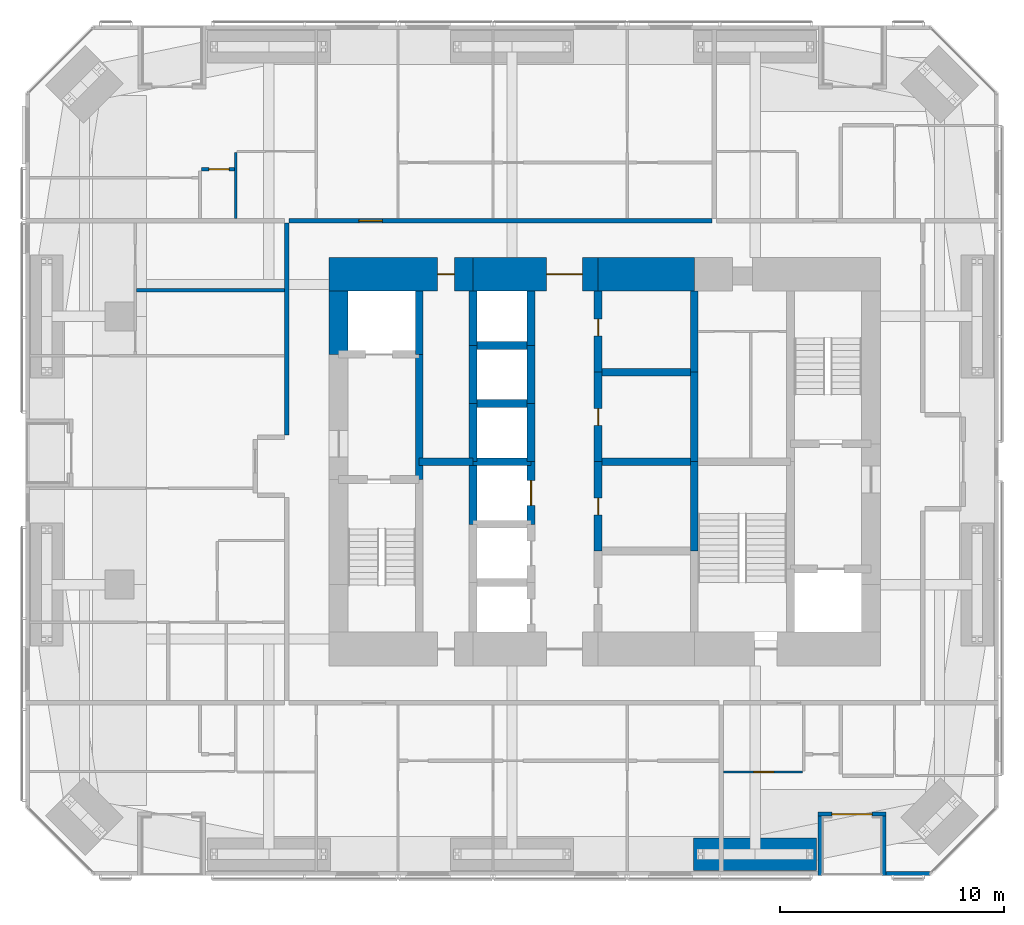
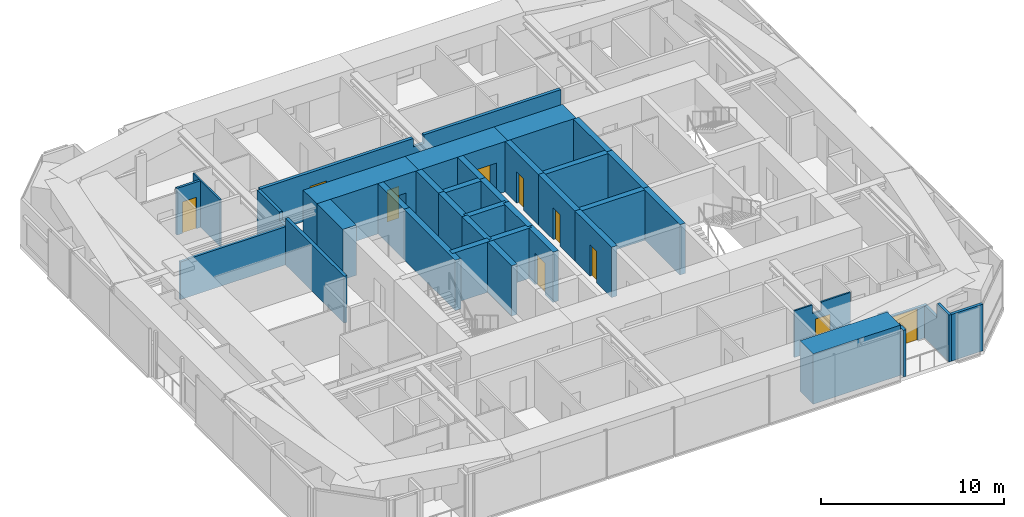
# One storey, part 19 of 23: 38 walls, 10 doors, 10 openings.
"""IFC4 building model written with IfcOpenShell, lengths in metres."""

from ifc_helpers import new_model, si_unit, direction, frame, frame_2d, origin, place, context, subcontext, project, spatial, polyline, rectangle, outline, extrude, material, layer, layer_set, constituent, constituent_set, type_object, element, fill, save


model = new_model("IFC4")

# Units and contexts
model_context = context("Model", 3, precision=1e-05, world=origin(), true_north=direction((0.0, 1.0)))
body_context = subcontext(model_context, "Body", "Model", "MODEL_VIEW")
ifc_project = project(units=[si_unit("LENGTHUNIT", "METRE"), si_unit("AREAUNIT", "SQUARE_METRE"), si_unit("VOLUMEUNIT", "CUBIC_METRE"), si_unit("PLANEANGLEUNIT", "RADIAN"), si_unit("MASSUNIT", "GRAM", prefix="KILO")], contexts=[model_context])

# Site, building, storey
site_placement = place(None, origin())
site = spatial("IfcSite", under=ifc_project, at=site_placement, CompositionType="ELEMENT")
building_placement = place(site_placement, origin())
building = spatial("IfcBuilding", under=site, at=building_placement, Name="Jalousie Tower", CompositionType="ELEMENT")
storey_placement = place(building_placement, frame((0.0, 0.0, 121.60009765625)))
storey = spatial("IfcBuildingStorey", under=building, at=storey_placement, Name="L33", CompositionType="ELEMENT", Elevation=121.60009765625)

# Wall, opening, door
ifc_material_1 = material(Name="Concrete block ASTM C90", Category="concrete")
ifc_constituent_1 = constituent(ifc_material_1, Name="Body")
ifc_material_2 = material(Name="Render")
ifc_constituent_2 = constituent(ifc_material_2, Name="Finish")
ifc_constituent_set_1 = constituent_set(constituents=[ifc_constituent_1, ifc_constituent_2])
wall_type_1 = type_object("IfcWallType", Name="BATHROOM WALL 150", PredefinedType="PLUMBINGWALL", material=ifc_constituent_set_1)
wall_1_placement = place(storey_placement, frame((13.875, 31.574951171875, 0.0), z_axis=(0.0, 0.0, 1.0), x_axis=(1.0, 0.0, 0.0)))
wall_1 = element("IfcWall", 1, at=wall_1_placement, inside=storey, type_object=wall_type_1, Name="Bathroom Wall 150 L33", PredefinedType="PLUMBINGWALL", context=body_context, shape_type="SweptSolid", body=[
    extrude(rectangle(XDim=1.47509765625, YDim=0.14990234375, at=frame_2d((0.737548828125, 0.0))), origin(), (0.0, 0.0, 1.0), 3.10986328125),
])
opening_1_placement = place(wall_1_placement, frame((0.324951171875, 0.0, 0.0)))
opening_1 = element("IfcOpeningElement", 2, at=opening_1_placement, cuts=wall_1, Name="Opening D7", PredefinedType="OPENING", context=body_context, shape_type="SweptSolid", body=[
    extrude(rectangle(XDim=0.89990234375, YDim=2.10009765625, at=frame_2d((0.449951171875, 1.050048828125))), frame((0.0, 0.0849609375, 0.0), z_axis=(0.0, -1.0, 0.0), x_axis=(1.0, 0.0, 0.0)), (0.0, 0.0, 1.0), 0.169921875),
])
ifc_material_3 = material(Name="Timber door", Category="wood")
door_type_1 = type_object("IfcDoorType", Name="INTERNAL DOOR 900", OperationType="SINGLE_SWING_LEFT", PredefinedType="DOOR", material=ifc_material_3)
door_1_placement = place(opening_1_placement, frame((0.89990234375, 0.0, 0.0), z_axis=(0.0, 0.0, 1.0), x_axis=(-1.0, 0.0, 0.0)))
door_1 = element("IfcDoor", 3, at=door_1_placement, inside=storey, type_object=door_type_1, Name="Apartment 3303 guest WC door", OperationType="SINGLE_SWING_LEFT", OverallHeight=2.10009765625, OverallWidth=0.89990234375, PredefinedType="DOOR", context=body_context, shape_type="SweptSolid", body=[
    extrude(rectangle(XDim=0.89990234375, YDim=2.10009765625, at=frame_2d((0.449951171875, 1.050048828125))), frame((0.0, 0.02490234375, 0.0), z_axis=(0.0, -1.0, 0.0), x_axis=(1.0, 0.0, 0.0)), (0.0, 0.0, 1.0), 0.050048828125),
])
fill(opening_1, door_1)

# Walls
wall_2_placement = place(storey_placement, frame((10.949951171875, 26.166748046875, 0.0), z_axis=(0.0, 0.0, 1.0), x_axis=(1.0, 0.0, 0.0)))
element("IfcWall", 4, at=wall_2_placement, inside=storey, type_object=wall_type_1, Name="Bathroom Wall 150 L33", PredefinedType="PLUMBINGWALL", context=body_context, shape_type="SweptSolid", body=[
    extrude(outline(polyline([(0.0, 0.0), (6.625, 0.0), (6.625, 3.10986328125), (6.625, 2.541015625), (0.534912109375, 2.541015625), (0.534912109375, 2.510009765625), (0.0, 2.510009765625), (0.0, 3.10986328125), (0.0, 0.0)])), frame((0.0, 0.074951171875, 0.0), z_axis=(0.0, -1.0, 0.0), x_axis=(1.0, 0.0, 0.0)), (0.0, 0.0, 1.0), 0.14990234375),
])
ifc_material_4 = material(Name="Concrete f'c 120 MPa", Category="concrete")
ifc_layer_1 = layer(ifc_material_4, 1.5)
ifc_layer_set_1 = layer_set([ifc_layer_1], Name="Concrete f'c 120 MPa")
wall_type_2 = type_object("IfcWallType", Name="CORE WALL 1500", PredefinedType="SHEAR", material=ifc_layer_set_1)
wall_3_placement = place(storey_placement, frame((35.89990234375, 26.875, 0.0), z_axis=(0.0, 0.0, 1.0), x_axis=(-1.0, 0.0, 0.0)))
element("IfcWall", 5, at=wall_3_placement, inside=storey, type_object=wall_type_2, Name="Core wall NB L33", PredefinedType="SHEAR", context=body_context, shape_type="SweptSolid", body=[
    extrude(rectangle(XDim=4.2998046875, YDim=1.5, at=frame_2d((2.14990234375, 0.0))), origin(), (0.0, 0.0, 1.0), 3.349853515625),
])

# Wall, opening, door
wall_4_placement = place(storey_placement, frame((31.60009765625, 26.875, 0.0), z_axis=(0.0, 0.0, 1.0), x_axis=(-1.0, 0.0, 0.0)))
wall_4 = element("IfcWall", 6, at=wall_4_placement, inside=storey, type_object=wall_type_2, Name="Core wall NC L33", PredefinedType="SHEAR", context=body_context, shape_type="SweptSolid", body=[
    extrude(rectangle(XDim=5.60009765625, YDim=1.5, at=frame_2d((2.800048828125, 0.0))), origin(), (0.0, 0.0, 1.0), 3.349853515625),
])
opening_2_placement = place(wall_4_placement, frame((0.699951171875, 0.0, 0.0)))
opening_2 = element("IfcOpeningElement", 7, at=opening_2_placement, cuts=wall_4, Name="Opening D15", PredefinedType="OPENING", context=body_context, shape_type="SweptSolid", body=[
    extrude(rectangle(XDim=1.60009765625, YDim=2.10009765625, at=frame_2d((0.800048828125, 1.050048828125))), frame((0.0, 0.760009765625, 0.0), z_axis=(0.0, -1.0, 0.0), x_axis=(1.0, 0.0, 0.0)), (0.0, 0.0, 1.0), 1.52001953125),
])
ifc_material_5 = material(Name="Steel fire door", Category="steel")
door_type_2 = type_object("IfcDoorType", Name="LIFT LOBBY DOOR 1600", OperationType="DOUBLE_DOOR_SINGLE_SWING", PredefinedType="DOOR", material=ifc_material_5)
door_2_placement = place(opening_2_placement, origin())
door_2 = element("IfcDoor", 8, at=door_2_placement, inside=storey, type_object=door_type_2, Name="Lift lobby north door", OperationType="DOUBLE_DOOR_SINGLE_SWING", OverallHeight=2.10009765625, OverallWidth=1.60009765625, PredefinedType="DOOR", context=body_context, shape_type="SweptSolid", body=[
    extrude(rectangle(XDim=1.60009765625, YDim=2.10009765625, at=frame_2d((0.800048828125, 1.050048828125))), frame((0.0, 0.02490234375, 0.0), z_axis=(0.0, -1.0, 0.0), x_axis=(1.0, 0.0, 0.0)), (0.0, 0.0, 1.0), 0.050048828125),
])
fill(opening_2, door_2)

wall_5_placement = place(storey_placement, frame((26.0, 26.875, 0.0), z_axis=(0.0, 0.0, 1.0), x_axis=(-1.0, 0.0, 0.0)))
wall_5 = element("IfcWall", 9, at=wall_5_placement, inside=storey, type_object=wall_type_2, Name="Core wall ND L33", PredefinedType="SHEAR", context=body_context, shape_type="SweptSolid", body=[
    extrude(rectangle(XDim=6.425048828125, YDim=1.5, at=frame_2d((3.21240234375, 0.0))), origin(), (0.0, 0.0, 1.0), 3.349853515625),
])
opening_3_placement = place(wall_5_placement, frame((0.824951171875, 0.0, 0.0)))
opening_3 = element("IfcOpeningElement", 10, at=opening_3_placement, cuts=wall_5, Name="Opening D16", PredefinedType="OPENING", context=body_context, shape_type="SweptSolid", body=[
    extrude(rectangle(XDim=0.75, YDim=2.10009765625, at=frame_2d((0.375, 1.050048828125))), frame((0.0, 0.760009765625, 0.0), z_axis=(0.0, -1.0, 0.0), x_axis=(1.0, 0.0, 0.0)), (0.0, 0.0, 1.0), 1.52001953125),
])
ifc_material_6 = material(Name="Steel fire door", Category="steel")
door_type_3 = type_object("IfcDoorType", Name="RISER DOOR 750", OperationType="SINGLE_SWING_LEFT", PredefinedType="DOOR", material=ifc_material_6)
door_3_placement = place(opening_3_placement, origin())
door_3 = element("IfcDoor", 11, at=door_3_placement, inside=storey, type_object=door_type_3, Name="North riser door", OperationType="SINGLE_SWING_RIGHT", OverallHeight=2.10009765625, OverallWidth=0.75, PredefinedType="DOOR", context=body_context, shape_type="SweptSolid", body=[
    extrude(rectangle(XDim=0.75, YDim=2.10009765625, at=frame_2d((0.375, 1.050048828125))), frame((0.0, 0.02490234375, 0.0), z_axis=(0.0, -1.0, 0.0), x_axis=(1.0, 0.0, 0.0)), (0.0, 0.0, 1.0), 0.050048828125),
])
fill(opening_3, door_3)

# Walls
ifc_material_7 = material(Name="Concrete f'c 120 MPa", Category="concrete")
ifc_layer_2 = layer(ifc_material_7, 0.35009765625)
ifc_layer_set_2 = layer_set([ifc_layer_2], Name="Concrete f'c 120 MPa")
wall_type_3 = type_object("IfcWallType", Name="CORE WALL 350", PredefinedType="SHEAR", material=ifc_layer_set_2)
wall_6_placement = place(storey_placement, frame((23.60009765625, 17.699951171875, 0.0), z_axis=(0.0, 0.0, 1.0), x_axis=(0.0, 1.0, 0.0)))
element("IfcWall", 12, at=wall_6_placement, inside=storey, type_object=wall_type_3, Name="Core wall X23.6B L33", PredefinedType="SHEAR", context=body_context, shape_type="SweptSolid", body=[
    extrude(rectangle(XDim=5.60009765625, YDim=0.35009765625, at=frame_2d((2.800048828125, 0.0))), origin(), (0.0, 0.0, 1.0), 3.349853515625),
])
wall_7_placement = place(storey_placement, frame((23.60009765625, 23.300048828125, 0.0), z_axis=(0.0, 0.0, 1.0), x_axis=(0.0, 1.0, 0.0)))
element("IfcWall", 13, at=wall_7_placement, inside=storey, type_object=wall_type_3, Name="Core wall X23.6C L33", PredefinedType="SHEAR", context=body_context, shape_type="SweptSolid", body=[
    extrude(rectangle(XDim=2.824951171875, YDim=0.35009765625, at=frame_2d((1.41259765625, 0.0))), origin(), (0.0, 0.0, 1.0), 3.349853515625),
])
wall_8_placement = place(storey_placement, frame((26.0, 15.699951171875, 0.0), z_axis=(0.0, 0.0, 1.0), x_axis=(0.0, 1.0, 0.0)))
element("IfcWall", 14, at=wall_8_placement, inside=storey, type_object=wall_type_3, Name="Core wall X26C L33", PredefinedType="SHEAR", context=body_context, shape_type="SweptSolid", body=[
    extrude(rectangle(XDim=2.800048828125, YDim=0.35009765625, at=frame_2d((1.39990234375, 0.0))), origin(), (0.0, 0.0, 1.0), 3.349853515625),
])
wall_9_placement = place(storey_placement, frame((26.0, 18.5, 0.0), z_axis=(0.0, 0.0, 1.0), x_axis=(0.0, 1.0, 0.0)))
element("IfcWall", 15, at=wall_9_placement, inside=storey, type_object=wall_type_3, Name="Core wall X26D L33", PredefinedType="SHEAR", context=body_context, shape_type="SweptSolid", body=[
    extrude(rectangle(XDim=2.60009765625, YDim=0.35009765625, at=frame_2d((1.300048828125, 0.0))), origin(), (0.0, 0.0, 1.0), 3.349853515625),
])
wall_10_placement = place(storey_placement, frame((26.0, 21.10009765625, 0.0), z_axis=(0.0, 0.0, 1.0), x_axis=(0.0, 1.0, 0.0)))
element("IfcWall", 16, at=wall_10_placement, inside=storey, type_object=wall_type_3, Name="Core wall X26E L33", PredefinedType="SHEAR", context=body_context, shape_type="SweptSolid", body=[
    extrude(rectangle(XDim=2.599853515625, YDim=0.35009765625, at=frame_2d((1.2998046875, 0.0))), origin(), (0.0, 0.0, 1.0), 3.349853515625),
])
wall_11_placement = place(storey_placement, frame((26.0, 23.699951171875, 0.0), z_axis=(0.0, 0.0, 1.0), x_axis=(0.0, 1.0, 0.0)))
element("IfcWall", 17, at=wall_11_placement, inside=storey, type_object=wall_type_3, Name="Core wall X26F L33", PredefinedType="SHEAR", context=body_context, shape_type="SweptSolid", body=[
    extrude(rectangle(XDim=2.425048828125, YDim=0.35009765625, at=frame_2d((1.21240234375, 0.0))), origin(), (0.0, 0.0, 1.0), 3.349853515625),
])

# Wall, opening, door
wall_12_placement = place(storey_placement, frame((28.60009765625, 15.699951171875, 0.0), z_axis=(0.0, 0.0, 1.0), x_axis=(0.0, 1.0, 0.0)))
wall_12 = element("IfcWall", 18, at=wall_12_placement, inside=storey, type_object=wall_type_3, Name="Core wall X28.6C L33", PredefinedType="SHEAR", context=body_context, shape_type="SweptSolid", body=[
    extrude(rectangle(XDim=2.800048828125, YDim=0.35009765625, at=frame_2d((1.39990234375, 0.0))), origin(), (0.0, 0.0, 1.0), 3.349853515625),
])
opening_4_placement = place(wall_12_placement, frame((0.85009765625, 0.0, 0.0)))
opening_4 = element("IfcOpeningElement", 19, at=opening_4_placement, cuts=wall_12, Name="Opening LD1", PredefinedType="OPENING", context=body_context, shape_type="SweptSolid", body=[
    extrude(rectangle(XDim=1.10009765625, YDim=2.10009765625, at=frame_2d((0.550048828125, 1.050048828125))), frame((0.0, 0.18505859375, 0.0), z_axis=(0.0, -1.0, 0.0), x_axis=(1.0, 0.0, 0.0)), (0.0, 0.0, 1.0), 0.3701171875),
])
ifc_material_8 = material(Name="Steel lift landing door", Category="steel")
door_type_4 = type_object("IfcDoorType", Name="LIFT LANDING DOOR 1100", OperationType="SLIDING_TO_LEFT", PredefinedType="DOOR", material=ifc_material_8)
door_4_placement = place(opening_4_placement, origin())
door_4 = element("IfcDoor", 20, at=door_4_placement, inside=storey, type_object=door_type_4, Name="Lift P3 landing door", OperationType="SLIDING_TO_LEFT", OverallHeight=2.10009765625, OverallWidth=1.10009765625, PredefinedType="DOOR", context=body_context, shape_type="SweptSolid", body=[
    extrude(rectangle(XDim=1.10009765625, YDim=2.10009765625, at=frame_2d((0.550048828125, 1.050048828125))), frame((0.0, 0.02490234375, 0.0), z_axis=(0.0, -1.0, 0.0), x_axis=(1.0, 0.0, 0.0)), (0.0, 0.0, 1.0), 0.050048828125),
])
fill(opening_4, door_4)

# Walls
wall_13_placement = place(storey_placement, frame((28.60009765625, 18.5, 0.0), z_axis=(0.0, 0.0, 1.0), x_axis=(0.0, 1.0, 0.0)))
element("IfcWall", 21, at=wall_13_placement, inside=storey, type_object=wall_type_3, Name="Core wall X28.6D L33", PredefinedType="SHEAR", context=body_context, shape_type="SweptSolid", body=[
    extrude(rectangle(XDim=2.60009765625, YDim=0.35009765625, at=frame_2d((1.300048828125, 0.0))), origin(), (0.0, 0.0, 1.0), 3.349853515625),
])
wall_14_placement = place(storey_placement, frame((28.60009765625, 21.10009765625, 0.0), z_axis=(0.0, 0.0, 1.0), x_axis=(0.0, 1.0, 0.0)))
element("IfcWall", 22, at=wall_14_placement, inside=storey, type_object=wall_type_3, Name="Core wall X28.6E L33", PredefinedType="SHEAR", context=body_context, shape_type="SweptSolid", body=[
    extrude(rectangle(XDim=2.599853515625, YDim=0.35009765625, at=frame_2d((1.2998046875, 0.0))), origin(), (0.0, 0.0, 1.0), 3.349853515625),
])
wall_15_placement = place(storey_placement, frame((28.60009765625, 23.699951171875, 0.0), z_axis=(0.0, 0.0, 1.0), x_axis=(0.0, 1.0, 0.0)))
element("IfcWall", 23, at=wall_15_placement, inside=storey, type_object=wall_type_3, Name="Core wall X28.6F L33", PredefinedType="SHEAR", context=body_context, shape_type="SweptSolid", body=[
    extrude(rectangle(XDim=2.425048828125, YDim=0.35009765625, at=frame_2d((1.21240234375, 0.0))), origin(), (0.0, 0.0, 1.0), 3.349853515625),
])

# Wall, opening, door
wall_16_placement = place(storey_placement, frame((31.60009765625, 14.5, 0.0), z_axis=(0.0, 0.0, 1.0), x_axis=(0.0, 1.0, 0.0)))
wall_16 = element("IfcWall", 24, at=wall_16_placement, inside=storey, type_object=wall_type_3, Name="Core wall X31.6B L33", PredefinedType="SHEAR", context=body_context, shape_type="SweptSolid", body=[
    extrude(rectangle(XDim=4.0, YDim=0.35009765625, at=frame_2d((2.0, 0.0))), origin(), (0.0, 0.0, 1.0), 3.349853515625),
])
opening_5_placement = place(wall_16_placement, frame((1.625, 0.0, 0.0)))
opening_5 = element("IfcOpeningElement", 25, at=opening_5_placement, cuts=wall_16, Name="Opening D16", PredefinedType="OPENING", context=body_context, shape_type="SweptSolid", body=[
    extrude(rectangle(XDim=0.75, YDim=2.10009765625, at=frame_2d((0.375, 1.050048828125))), frame((0.0, 0.18505859375, 0.0), z_axis=(0.0, -1.0, 0.0), x_axis=(1.0, 0.0, 0.0)), (0.0, 0.0, 1.0), 0.3701171875),
])
door_5_placement = place(opening_5_placement, frame((0.75, 0.0, 0.0), z_axis=(0.0, 0.0, 1.0), x_axis=(-1.0, 0.0, 0.0)))
door_5 = element("IfcDoor", 26, at=door_5_placement, inside=storey, type_object=door_type_3, Name="Electrical Room door", OperationType="SINGLE_SWING_RIGHT", OverallHeight=2.10009765625, OverallWidth=0.75, PredefinedType="DOOR", context=body_context, shape_type="SweptSolid", body=[
    extrude(rectangle(XDim=0.75, YDim=2.10009765625, at=frame_2d((0.375, 1.050048828125))), frame((0.0, 0.02490234375, 0.0), z_axis=(0.0, -1.0, 0.0), x_axis=(1.0, 0.0, 0.0)), (0.0, 0.0, 1.0), 0.050048828125),
])
fill(opening_5, door_5)

wall_17_placement = place(storey_placement, frame((31.60009765625, 18.5, 0.0), z_axis=(0.0, 0.0, 1.0), x_axis=(0.0, 1.0, 0.0)))
wall_17 = element("IfcWall", 27, at=wall_17_placement, inside=storey, type_object=wall_type_3, Name="Core wall X31.6C L33", PredefinedType="SHEAR", context=body_context, shape_type="SweptSolid", body=[
    extrude(rectangle(XDim=4.0, YDim=0.35009765625, at=frame_2d((2.0, 0.0))), origin(), (0.0, 0.0, 1.0), 3.349853515625),
])
opening_6_placement = place(wall_17_placement, frame((1.625, 0.0, 0.0)))
opening_6 = element("IfcOpeningElement", 28, at=opening_6_placement, cuts=wall_17, Name="Opening D16", PredefinedType="OPENING", context=body_context, shape_type="SweptSolid", body=[
    extrude(rectangle(XDim=0.75, YDim=2.10009765625, at=frame_2d((0.375, 1.050048828125))), frame((0.0, 0.18505859375, 0.0), z_axis=(0.0, -1.0, 0.0), x_axis=(1.0, 0.0, 0.0)), (0.0, 0.0, 1.0), 0.3701171875),
])
door_6_placement = place(opening_6_placement, frame((0.75, 0.0, 0.0), z_axis=(0.0, 0.0, 1.0), x_axis=(-1.0, 0.0, 0.0)))
door_6 = element("IfcDoor", 29, at=door_6_placement, inside=storey, type_object=door_type_3, Name="Telecom Room door", OperationType="SINGLE_SWING_RIGHT", OverallHeight=2.10009765625, OverallWidth=0.75, PredefinedType="DOOR", context=body_context, shape_type="SweptSolid", body=[
    extrude(rectangle(XDim=0.75, YDim=2.10009765625, at=frame_2d((0.375, 1.050048828125))), frame((0.0, 0.02490234375, 0.0), z_axis=(0.0, -1.0, 0.0), x_axis=(1.0, 0.0, 0.0)), (0.0, 0.0, 1.0), 0.050048828125),
])
fill(opening_6, door_6)

wall_18_placement = place(storey_placement, frame((31.60009765625, 22.5, 0.0), z_axis=(0.0, 0.0, 1.0), x_axis=(0.0, 1.0, 0.0)))
wall_18 = element("IfcWall", 30, at=wall_18_placement, inside=storey, type_object=wall_type_3, Name="Core wall X31.6D L33", PredefinedType="SHEAR", context=body_context, shape_type="SweptSolid", body=[
    extrude(rectangle(XDim=3.625, YDim=0.35009765625, at=frame_2d((1.8125, 0.0))), origin(), (0.0, 0.0, 1.0), 3.349853515625),
])
opening_7_placement = place(wall_18_placement, frame((1.625, 0.0, 0.0)))
opening_7 = element("IfcOpeningElement", 31, at=opening_7_placement, cuts=wall_18, Name="Opening D16", PredefinedType="OPENING", context=body_context, shape_type="SweptSolid", body=[
    extrude(rectangle(XDim=0.75, YDim=2.10009765625, at=frame_2d((0.375, 1.050048828125))), frame((0.0, 0.18505859375, 0.0), z_axis=(0.0, -1.0, 0.0), x_axis=(1.0, 0.0, 0.0)), (0.0, 0.0, 1.0), 0.3701171875),
])
door_7_placement = place(opening_7_placement, frame((0.75, 0.0, 0.0), z_axis=(0.0, 0.0, 1.0), x_axis=(-1.0, 0.0, 0.0)))
door_7 = element("IfcDoor", 32, at=door_7_placement, inside=storey, type_object=door_type_3, Name="Water Services Room door", OperationType="SINGLE_SWING_LEFT", OverallHeight=2.10009765625, OverallWidth=0.75, PredefinedType="DOOR", context=body_context, shape_type="SweptSolid", body=[
    extrude(rectangle(XDim=0.75, YDim=2.10009765625, at=frame_2d((0.375, 1.050048828125))), frame((0.0, 0.02490234375, 0.0), z_axis=(0.0, -1.0, 0.0), x_axis=(1.0, 0.0, 0.0)), (0.0, 0.0, 1.0), 0.050048828125),
])
fill(opening_7, door_7)

# Walls
for number, where, z_axis, x_axis, name in (
    (33, (35.89990234375, 14.5, 0.0), (0.0, 0.0, 1.0), (0.0, 1.0, 0.0), "Core wall X35.9B L33"),
    (34, (35.89990234375, 18.5, 0.0), (0.0, 0.0, 1.0), (0.0, 1.0, 0.0), "Core wall X35.9C L33"),
):
    element("IfcWall", number, at=place(storey_placement, frame(where, z_axis=z_axis, x_axis=x_axis)), inside=storey, type_object=wall_type_3, Name=name, PredefinedType="SHEAR", context=body_context, shape_type="SweptSolid", body=[
        extrude(rectangle(XDim=4.0, YDim=0.35009765625, at=frame_2d((2.0, 0.0))), origin(), (0.0, 0.0, 1.0), 3.349853515625),
    ])
wall_19_placement = place(storey_placement, frame((35.89990234375, 22.5, 0.0), z_axis=(0.0, 0.0, 1.0), x_axis=(0.0, 1.0, 0.0)))
element("IfcWall", 35, at=wall_19_placement, inside=storey, type_object=wall_type_3, Name="Core wall X35.9D L33", PredefinedType="SHEAR", context=body_context, shape_type="SweptSolid", body=[
    extrude(rectangle(XDim=3.625, YDim=0.35009765625, at=frame_2d((1.8125, 0.0))), origin(), (0.0, 0.0, 1.0), 3.349853515625),
])
wall_20_placement = place(storey_placement, frame((23.60009765625, 18.5, 0.0), z_axis=(0.0, 0.0, 1.0), x_axis=(1.0, 0.0, 0.0)))
element("IfcWall", 36, at=wall_20_placement, inside=storey, type_object=wall_type_3, Name="Core wall Y23.6-18.5 L33", PredefinedType="SHEAR", context=body_context, shape_type="SweptSolid", body=[
    extrude(rectangle(XDim=2.39990234375, YDim=0.35009765625, at=frame_2d((1.199951171875, 0.0))), origin(), (0.0, 0.0, 1.0), 3.349853515625),
])
for number, where, z_axis, x_axis, name in (
    (37, (26.0, 18.5, 0.0), (0.0, 0.0, 1.0), (1.0, 0.0, 0.0), "Core wall Y26-18.5 L33"),
    (38, (26.0, 21.10009765625, 0.0), (0.0, 0.0, 1.0), (1.0, 0.0, 0.0), "Core wall Y26-21.1 L33"),
    (39, (26.0, 23.699951171875, 0.0), (0.0, 0.0, 1.0), (1.0, 0.0, 0.0), "Core wall Y26-23.7 L33"),
):
    element("IfcWall", number, at=place(storey_placement, frame(where, z_axis=z_axis, x_axis=x_axis)), inside=storey, type_object=wall_type_3, Name=name, PredefinedType="SHEAR", context=body_context, shape_type="SweptSolid", body=[
        extrude(rectangle(XDim=2.60009765625, YDim=0.35009765625, at=frame_2d((1.300048828125, 0.0))), origin(), (0.0, 0.0, 1.0), 3.349853515625),
    ])
for number, where, z_axis, x_axis, name in (
    (40, (31.60009765625, 18.5, 0.0), (0.0, 0.0, 1.0), (1.0, 0.0, 0.0), "Core wall Y31.6-18.5 L33"),
    (41, (31.60009765625, 22.5, 0.0), (0.0, 0.0, 1.0), (1.0, 0.0, 0.0), "Core wall Y31.6-22.5 L33"),
):
    element("IfcWall", number, at=place(storey_placement, frame(where, z_axis=z_axis, x_axis=x_axis)), inside=storey, type_object=wall_type_3, Name=name, PredefinedType="SHEAR", context=body_context, shape_type="SweptSolid", body=[
        extrude(rectangle(XDim=4.2998046875, YDim=0.35009765625, at=frame_2d((2.14990234375, 0.0))), origin(), (0.0, 0.0, 1.0), 3.349853515625),
    ])
ifc_material_9 = material(Name="Concrete f'c 120 MPa", Category="concrete")
ifc_layer_3 = layer(ifc_material_9, 0.85009765625)
ifc_layer_set_3 = layer_set([ifc_layer_3], Name="Concrete f'c 120 MPa")
wall_type_4 = type_object("IfcWallType", Name="CORE WALL 850", PredefinedType="SHEAR", material=ifc_layer_set_3)
wall_21_placement = place(storey_placement, frame((20.0, 26.125, 0.0), z_axis=(0.0, 0.0, 1.0), x_axis=(0.0, -1.0, 0.0)))
element("IfcWall", 42, at=wall_21_placement, inside=storey, type_object=wall_type_4, Name="Core wall WA L33", PredefinedType="SHEAR", context=body_context, shape_type="SweptSolid", body=[
    extrude(rectangle(XDim=2.824951171875, YDim=0.85009765625, at=frame_2d((1.41259765625, 0.0))), origin(), (0.0, 0.0, 1.0), 3.349853515625),
])

# Wall, opening, door
ifc_material_10 = material(Name="Concrete block ASTM C90", Category="concrete")
ifc_constituent_3 = constituent(ifc_material_10, Name="Body")
ifc_material_11 = material(Name="Render")
ifc_constituent_4 = constituent(ifc_material_11, Name="Finish")
ifc_constituent_set_2 = constituent_set(constituents=[ifc_constituent_3, ifc_constituent_4])
wall_type_5 = type_object("IfcWallType", Name="CORRIDOR WALL 200", PredefinedType="PARTITIONING", material=ifc_constituent_set_2)
wall_22_placement = place(storey_placement, frame((17.77490234375, 29.27490234375, 0.0), z_axis=(0.0, 0.0, 1.0), x_axis=(1.0, 0.0, 0.0)))
wall_22 = element("IfcWall", 43, at=wall_22_placement, inside=storey, type_object=wall_type_5, Name="Corridor Wall 200 L33", PredefinedType="PARTITIONING", context=body_context, shape_type="SweptSolid", body=[
    extrude(outline(polyline([(0.0, 0.0), (18.925048828125, 0.0), (18.925048828125, 3.10986328125), (10.312255859375, 3.10986328125), (10.312255859375, 2.541015625), (9.6376953125, 2.541015625), (9.6376953125, 3.10986328125), (0.0, 3.10986328125), (0.0, 0.0)])), frame((0.0, 0.10009765625, 0.0), z_axis=(0.0, -1.0, 0.0), x_axis=(1.0, 0.0, 0.0)), (0.0, 0.0, 1.0), 0.199951171875),
])
opening_8_placement = place(wall_22_placement, frame((3.125, 0.0, 0.0)))
opening_8 = element("IfcOpeningElement", 44, at=opening_8_placement, cuts=wall_22, Name="Opening D1", PredefinedType="OPENING", context=body_context, shape_type="SweptSolid", body=[
    extrude(rectangle(XDim=1.050048828125, YDim=2.199951171875, at=frame_2d((0.52490234375, 1.10009765625))), frame((0.0, 0.10986328125, 0.0), z_axis=(0.0, -1.0, 0.0), x_axis=(1.0, 0.0, 0.0)), (0.0, 0.0, 1.0), 0.219970703125),
])
ifc_material_12 = material(Name="Timber fire door", Category="wood")
door_type_5 = type_object("IfcDoorType", Name="APARTMENT ENTRANCE DOOR 1050", OperationType="SINGLE_SWING_LEFT", PredefinedType="DOOR", material=ifc_material_12)
door_8_placement = place(opening_8_placement, origin())
door_8 = element("IfcDoor", 45, at=door_8_placement, inside=storey, type_object=door_type_5, Name="Apartment 3303 entrance", OperationType="SINGLE_SWING_RIGHT", OverallHeight=2.199951171875, OverallWidth=1.050048828125, PredefinedType="DOOR", context=body_context, shape_type="SweptSolid", body=[
    extrude(rectangle(XDim=1.050048828125, YDim=2.199951171875, at=frame_2d((0.52490234375, 1.10009765625))), frame((0.0, 0.02490234375, 0.0), z_axis=(0.0, -1.0, 0.0), x_axis=(1.0, 0.0, 0.0)), (0.0, 0.0, 1.0), 0.050048828125),
])
fill(opening_8, door_8)

# Walls
wall_23_placement = place(storey_placement, frame((17.675048828125, 19.699951171875, 0.0), z_axis=(0.0, 0.0, 1.0), x_axis=(0.0, 1.0, 0.0)))
element("IfcWall", 46, at=wall_23_placement, inside=storey, type_object=wall_type_5, Name="Corridor Wall 200 L33", PredefinedType="PARTITIONING", context=body_context, shape_type="SweptSolid", body=[
    extrude(outline(polyline([(0.0, 0.0), (9.47509765625, 0.0), (9.47509765625, 3.10986328125), (7.062255859375, 3.10986328125), (7.062255859375, 2.541015625), (6.3876953125, 2.541015625), (6.3876953125, 3.10986328125), (0.0, 3.10986328125), (0.0, 0.0)])), frame((0.0, 0.10009765625, 0.0), z_axis=(0.0, -1.0, 0.0), x_axis=(1.0, 0.0, 0.0)), (0.0, 0.0, 1.0), 0.199951171875),
])
ifc_material_13 = material(Name="Concrete f'c 40 MPa", Category="concrete")
ifc_constituent_5 = constituent(ifc_material_13, Name="Body")
ifc_material_14 = material(Name="Render, pastel sea green")
ifc_constituent_6 = constituent(ifc_material_14, Name="Finish")
ifc_constituent_set_3 = constituent_set(constituents=[ifc_constituent_5, ifc_constituent_6])
wall_type_6 = type_object("IfcWallType", Name="EXTERNAL WALL 175 SEA GREEN RENDER", PredefinedType="SOLIDWALL", material=ifc_constituent_set_3)
wall_24_placement = place(storey_placement, frame((44.47509765625, 0.08740234375, 0.0), z_axis=(0.0, 0.0, 1.0), x_axis=(1.0, 0.0, 0.0)))
element("IfcWall", 47, at=wall_24_placement, inside=storey, type_object=wall_type_6, Name="External Wall 175 Sea Green Render L33", PredefinedType="SOLIDWALL", context=body_context, shape_type="SweptSolid", body=[
    extrude(rectangle(XDim=1.9736328125, YDim=0.175048828125, at=frame_2d((0.98681640625, 0.0))), origin(), (0.0, 0.0, 1.0), 3.10986328125),
])
wall_25_placement = place(storey_placement, frame((41.425048828125, 2.737548828125, 0.0), z_axis=(0.0, 0.0, 1.0), x_axis=(1.0, 0.0, 0.0)))
element("IfcWall", 48, at=wall_25_placement, inside=storey, type_object=wall_type_6, Name="External Wall 175 Sea Green Render L33-A", PredefinedType="SOLIDWALL", context=body_context, shape_type="SweptSolid", body=[
    extrude(rectangle(XDim=0.625, YDim=0.175048828125, at=frame_2d((0.3125, 0.0))), origin(), (0.0, 0.0, 1.0), 2.510009765625),
])

# Wall, opening, door
wall_26_placement = place(storey_placement, frame((42.050048828125, 2.737548828125, 0.0), z_axis=(0.0, 0.0, 1.0), x_axis=(1.0, 0.0, 0.0)))
wall_26 = element("IfcWall", 49, at=wall_26_placement, inside=storey, type_object=wall_type_6, Name="External Wall 175 Sea Green Render L33-B", PredefinedType="SOLIDWALL", context=body_context, shape_type="SweptSolid", body=[
    extrude(rectangle(XDim=2.425048828125, YDim=0.175048828125, at=frame_2d((1.21240234375, 0.0))), origin(), (0.0, 0.0, 1.0), 2.14990234375),
])
opening_9_placement = place(wall_26_placement, origin())
opening_9 = element("IfcOpeningElement", 50, at=opening_9_placement, cuts=wall_26, Name="Opening D-BAL21", PredefinedType="OPENING", context=body_context, shape_type="SweptSolid", body=[
    extrude(rectangle(XDim=1.800048828125, YDim=2.10009765625, at=frame_2d((0.89990234375, 1.050048828125))), frame((0.0, 0.097412109375, 0.0), z_axis=(0.0, -1.0, 0.0), x_axis=(1.0, 0.0, 0.0)), (0.0, 0.0, 1.0), 0.195068359375),
])
ifc_material_15 = material(Name="Aluminium frame, impact-rated glazing", Category="aluminium")
door_type_6 = type_object("IfcDoorType", Name="BALCONY DOOR 1800x2100", OperationType="SLIDING_TO_LEFT", PredefinedType="DOOR", material=ifc_material_15)
door_9_placement = place(opening_9_placement, origin())
door_9 = element("IfcDoor", 51, at=door_9_placement, inside=storey, type_object=door_type_6, Name="Apartment 3302 living and dining room loggia door", OperationType="SLIDING_TO_LEFT", OverallHeight=2.10009765625, OverallWidth=1.800048828125, PredefinedType="DOOR", context=body_context, shape_type="SweptSolid", body=[
    extrude(rectangle(XDim=1.800048828125, YDim=2.10009765625, at=frame_2d((0.89990234375, 1.050048828125))), frame((0.0, 0.02490234375, 0.0), z_axis=(0.0, -1.0, 0.0), x_axis=(1.0, 0.0, 0.0)), (0.0, 0.0, 1.0), 0.050048828125),
])
fill(opening_9, door_9)

# Walls
wall_27_placement = place(storey_placement, frame((41.512451171875, 0.0, 0.0), z_axis=(0.0, 0.0, 1.0), x_axis=(0.0, 1.0, 0.0)))
element("IfcWall", 52, at=wall_27_placement, inside=storey, type_object=wall_type_6, Name="External Wall 175 Sea Green Render L33", PredefinedType="SOLIDWALL", context=body_context, shape_type="SweptSolid", body=[
    extrude(outline(polyline([(0.0, 0.0), (2.64990234375, 0.0), (2.64990234375, 2.510009765625), (2.373291015625, 2.510009765625), (2.373291015625, 2.14990234375), (0.70458984375, 2.14990234375), (0.70458984375, 3.10986328125), (0.0, 3.10986328125), (0.0, 0.0)])), frame((0.0, 0.08740234375, 0.0), z_axis=(0.0, -1.0, 0.0), x_axis=(1.0, 0.0, 0.0)), (0.0, 0.0, 1.0), 0.175048828125),
])
wall_28_placement = place(storey_placement, frame((44.387451171875, 0.0, 0.0), z_axis=(0.0, 0.0, 1.0), x_axis=(0.0, 1.0, 0.0)))
element("IfcWall", 53, at=wall_28_placement, inside=storey, type_object=wall_type_6, Name="External Wall 175 Sea Green Render L33", PredefinedType="SOLIDWALL", context=body_context, shape_type="SweptSolid", body=[
    extrude(outline(polyline([(0.0, 0.0), (2.64990234375, 0.0), (2.64990234375, 2.14990234375), (1.291015625, 2.14990234375), (1.291015625, 3.10986328125), (0.0, 3.10986328125), (0.0, 0.0)])), frame((0.0, 0.08740234375, 0.0), z_axis=(0.0, -1.0, 0.0), x_axis=(1.0, 0.0, 0.0)), (0.0, 0.0, 1.0), 0.175048828125),
])

# Wall, opening, door
ifc_material_16 = material(Name="Gypsum board", Category="gypsum")
ifc_constituent_7 = constituent(ifc_material_16, Name="Body")
ifc_material_17 = material(Name="Light-gauge steel studs ASTM A653 SS Grade 33", Category="steel")
ifc_constituent_8 = constituent(ifc_material_17, Name="Framing")
ifc_constituent_set_4 = constituent_set(constituents=[ifc_constituent_7, ifc_constituent_8])
wall_type_7 = type_object("IfcWallType", Name="PARTITION 100", PredefinedType="PARTITIONING", material=ifc_constituent_set_4)
wall_29_placement = place(storey_placement, frame((37.199951171875, 4.625, 0.0), z_axis=(0.0, 0.0, 1.0), x_axis=(1.0, 0.0, 0.0)))
wall_29 = element("IfcWall", 54, at=wall_29_placement, inside=storey, type_object=wall_type_7, Name="Partition 100 L33", PredefinedType="PARTITIONING", context=body_context, shape_type="SweptSolid", body=[
    extrude(outline(polyline([(0.0, 0.0), (3.550048828125, 0.0), (3.550048828125, 3.10986328125), (1.71240234375, 3.10986328125), (1.71240234375, 2.541015625), (1.1376953125, 2.541015625), (1.1376953125, 3.10986328125), (0.0, 3.10986328125), (0.0, 0.0)])), frame((0.0, 0.050048828125, 0.0), z_axis=(0.0, -1.0, 0.0), x_axis=(1.0, 0.0, 0.0)), (0.0, 0.0, 1.0), 0.10009765625),
])
opening_10_placement = place(wall_29_placement, frame((1.35009765625, 0.0, 0.0)))
opening_10 = element("IfcOpeningElement", 55, at=opening_10_placement, cuts=wall_29, Name="Opening D7", PredefinedType="OPENING", context=body_context, shape_type="SweptSolid", body=[
    extrude(rectangle(XDim=0.89990234375, YDim=2.10009765625, at=frame_2d((0.449951171875, 1.050048828125))), frame((0.0, 0.06005859375, 0.0), z_axis=(0.0, -1.0, 0.0), x_axis=(1.0, 0.0, 0.0)), (0.0, 0.0, 1.0), 0.1201171875),
])
door_10_placement = place(opening_10_placement, frame((0.89990234375, 0.0, 0.0), z_axis=(0.0, 0.0, 1.0), x_axis=(-1.0, 0.0, 0.0)))
door_10 = element("IfcDoor", 56, at=door_10_placement, inside=storey, type_object=door_type_1, Name="Apartment 3302 kitchen door", OperationType="SINGLE_SWING_RIGHT", OverallHeight=2.10009765625, OverallWidth=0.89990234375, PredefinedType="DOOR", context=body_context, shape_type="SweptSolid", body=[
    extrude(rectangle(XDim=0.89990234375, YDim=2.10009765625, at=frame_2d((0.449951171875, 1.050048828125))), frame((0.0, 0.02490234375, 0.0), z_axis=(0.0, -1.0, 0.0), x_axis=(1.0, 0.0, 0.0)), (0.0, 0.0, 1.0), 0.050048828125),
])
fill(opening_10, door_10)

# Walls
wall_30_placement = place(storey_placement, frame((15.39990234375, 32.324951171875, 0.0), z_axis=(0.0, 0.0, 1.0), x_axis=(0.0, -1.0, 0.0)))
element("IfcWall", 57, at=wall_30_placement, inside=storey, type_object=wall_type_7, Name="Partition 100 L33", PredefinedType="PARTITIONING", context=body_context, shape_type="SweptSolid", body=[
    extrude(rectangle(XDim=2.949951171875, YDim=0.10009765625, at=frame_2d((1.47509765625, 0.0))), origin(), (0.0, 0.0, 1.0), 3.10986328125),
])
ifc_material_18 = material(Name="Concrete f'c 120 MPa", Category="concrete")
ifc_layer_4 = layer(ifc_material_18, 1.449951171875)
ifc_layer_set_4 = layer_set([ifc_layer_4], Name="Concrete f'c 120 MPa")
wall_type_8 = type_object("IfcWallType", Name="RC WALL PIER 1450", PredefinedType="SHEAR", material=ifc_layer_set_4)
wall_31_placement = place(storey_placement, frame((35.875, 0.949951171875, 0.0), z_axis=(0.0, 0.0, 1.0), x_axis=(1.0, 0.0, 0.0)))
element("IfcWall", 58, at=wall_31_placement, inside=storey, type_object=wall_type_8, Name="Wall pier 04 L33", PredefinedType="SHEAR", context=body_context, shape_type="SweptSolid", body=[
    extrude(rectangle(XDim=5.5, YDim=1.449951171875, at=frame_2d((2.75, 0.0))), origin(), (0.0, 0.0, 1.0), 3.349853515625),
])

save(model, "model.ifc")
